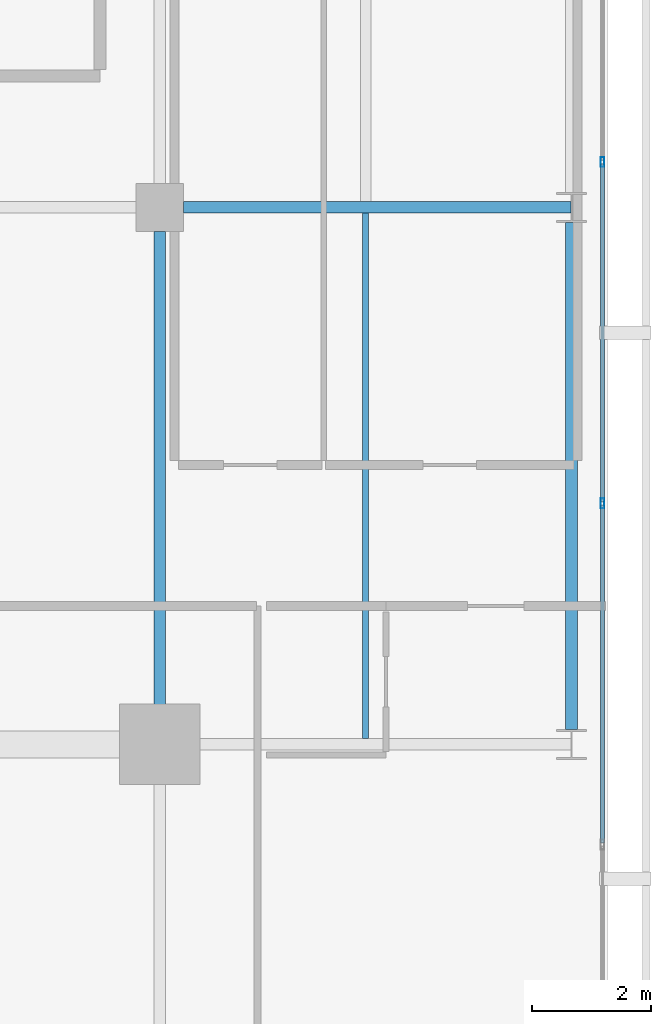
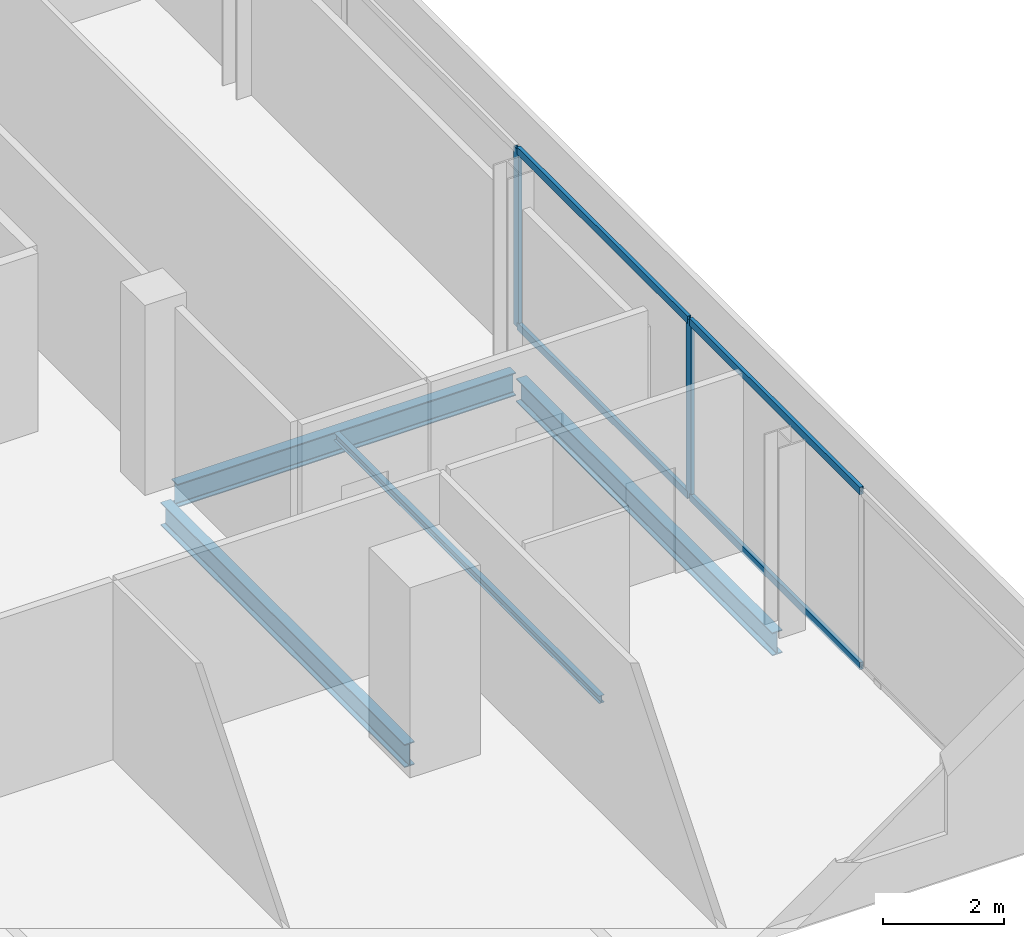
# One storey, part 12 of 23: 6 members, 4 beams, 1 element without a shape of its own.
"""IFC4 building model written with IfcOpenShell, lengths in metres."""

from ifc_helpers import new_model, si_unit, direction, frame, origin, origin_2d, place, context, subcontext, project, spatial, hollow_rectangle, i_section, extrude, material, layer, layer_set, material_profile, profile_set, type_object, element, aggregate, save


model = new_model("IFC4")

# Units and contexts
model_context = context("Model", 3, precision=1e-05, world=origin(), true_north=direction((0.0, 1.0)))
body_context = subcontext(model_context, "Body", "Model", "MODEL_VIEW")
ifc_project = project(units=[si_unit("LENGTHUNIT", "METRE"), si_unit("AREAUNIT", "SQUARE_METRE"), si_unit("VOLUMEUNIT", "CUBIC_METRE"), si_unit("PLANEANGLEUNIT", "RADIAN"), si_unit("MASSUNIT", "GRAM", prefix="KILO")], contexts=[model_context])

# Site, building, storey
site_placement = place(None, origin())
site = spatial("IfcSite", under=ifc_project, at=site_placement, CompositionType="ELEMENT")
building_placement = place(site_placement, origin())
building = spatial("IfcBuilding", under=site, at=building_placement, Name="Maruvema Waterfront Hotel and Observation Tower", CompositionType="ELEMENT")
storey_placement = place(building_placement, frame((0.0, 0.0, 337.39990234375)))
storey = spatial("IfcBuildingStorey", under=building, at=storey_placement, Name="L83", CompositionType="ELEMENT", Elevation=337.39990234375)

# Curtain wall, members
ifc_material_1 = material(Name="Anodised bronze aluminium and solar-control low-E IGU", Category="aluminium")
ifc_layer = layer(ifc_material_1, 0.159912109375, Name="Zone 4 Sky Residence Inner Curtain Wall System CW-05")
ifc_layer_set = layer_set([ifc_layer], Name="Anodised bronze aluminium and solar-control low-E IGU")
curtain_wall_type = type_object("IfcCurtainWallType", Name="Zone 4 Sky Residence Inner Curtain Wall System CW-05", PredefinedType="USERDEFINED", material=ifc_layer_set)
curtain_wall_placement = place(storey_placement, origin())
curtain_wall = element("IfcCurtainWall", 1, at=curtain_wall_placement, inside=storey, type_object=curtain_wall_type, Name="L83 Curtain Wall CW-L83-E", ObjectType="UNITISED CURTAIN WALL", PredefinedType="USERDEFINED")
ifc_material_2 = material(Name="Anodised architectural bronze aluminium", Category="aluminium")
ifc_material_profile_1 = material_profile(ifc_material_2, hollow_rectangle(XDim=0.070068359375, YDim=0.14990234375, WallThickness=0.00390625, at=origin_2d()), Name="ALU-T70x150")
ifc_profile_set_1 = profile_set([ifc_material_profile_1], Name="Anodised architectural bronze aluminium")
member_type_1 = type_object("IfcMemberType", Name="Curtain Wall Horizontal Transom ALU-T70x150", PredefinedType="USERDEFINED", material=ifc_profile_set_1)
member_1_placement = place(storey_placement, frame((57.820068359375, 25.35009765625, 0.030029296875), z_axis=(0.0, 1.0, 0.0), x_axis=(-1.0, 0.0, 0.0)))
member_1 = element("IfcMember", 2, at=member_1_placement, type_object=member_type_1, Name="CW-05 transom 2.1", ObjectType="TRANSOM", PredefinedType="USERDEFINED", context=body_context, shape_type="SweptSolid", body=[
    extrude(hollow_rectangle(XDim=0.070068359375, YDim=0.14990234375, WallThickness=0.00390625, at=origin_2d()), origin(), (0.0, 0.0, 1.0), 5.659912109375),
])
member_2_placement = place(storey_placement, frame((57.820068359375, 25.35009765625, 3.580078125), z_axis=(0.0, 1.0, 0.0), x_axis=(-1.0, 0.0, 0.0)))
member_2 = element("IfcMember", 3, at=member_2_placement, type_object=member_type_1, Name="CW-05 transom 2.2", ObjectType="TRANSOM", PredefinedType="USERDEFINED", context=body_context, shape_type="SweptSolid", body=[
    extrude(hollow_rectangle(XDim=0.070068359375, YDim=0.14990234375, WallThickness=0.00390625, at=origin_2d()), origin(), (0.0, 0.0, 1.0), 5.659912109375),
])
member_3_placement = place(storey_placement, frame((57.820068359375, 31.070068359375, 0.030029296875), z_axis=(0.0, 1.0, 0.0), x_axis=(-1.0, 0.0, 0.0)))
member_3 = element("IfcMember", 4, at=member_3_placement, type_object=member_type_1, Name="CW-05 transom 3.1", ObjectType="TRANSOM", PredefinedType="USERDEFINED", context=body_context, shape_type="SweptSolid", body=[
    extrude(hollow_rectangle(XDim=0.070068359375, YDim=0.14990234375, WallThickness=0.00390625, at=origin_2d()), origin(), (0.0, 0.0, 1.0), 5.659912109375),
])
member_4_placement = place(storey_placement, frame((57.820068359375, 31.070068359375, 3.580078125), z_axis=(0.0, 1.0, 0.0), x_axis=(-1.0, 0.0, 0.0)))
member_4 = element("IfcMember", 5, at=member_4_placement, type_object=member_type_1, Name="CW-05 transom 3.2", ObjectType="TRANSOM", PredefinedType="USERDEFINED", context=body_context, shape_type="SweptSolid", body=[
    extrude(hollow_rectangle(XDim=0.070068359375, YDim=0.14990234375, WallThickness=0.00390625, at=origin_2d()), origin(), (0.0, 0.0, 1.0), 5.659912109375),
])
ifc_material_3 = material(Name="Anodised architectural bronze aluminium", Category="aluminium")
ifc_material_profile_2 = material_profile(ifc_material_3, hollow_rectangle(XDim=0.06494140625, YDim=0.1650390625, WallThickness=0.00390625, at=origin_2d()), Name="ALU-M65x165")
ifc_profile_set_2 = profile_set([ifc_material_profile_2], Name="Anodised architectural bronze aluminium")
member_type_2 = type_object("IfcMemberType", Name="Curtain Wall Primary Mullion ALU-M65x165", PredefinedType="MULLION", material=ifc_profile_set_2)
member_5_placement = place(storey_placement, frame((57.820068359375, 31.0400390625, 0.0), z_axis=(0.0, 0.0, 1.0), x_axis=(-1.0, 0.0, 0.0)))
member_5 = element("IfcMember", 6, at=member_5_placement, type_object=member_type_2, Name="CW-05 mullion 3", PredefinedType="MULLION", context=body_context, shape_type="SweptSolid", body=[
    extrude(hollow_rectangle(XDim=0.06494140625, YDim=0.1650390625, WallThickness=0.00390625, at=origin_2d()), origin(), (0.0, 0.0, 1.0), 3.610107421875),
])
member_6_placement = place(storey_placement, frame((57.820068359375, 36.760009765625, 0.0), z_axis=(0.0, 0.0, 1.0), x_axis=(-1.0, 0.0, 0.0)))
member_6 = element("IfcMember", 7, at=member_6_placement, type_object=member_type_2, Name="CW-05 mullion 4", PredefinedType="MULLION", context=body_context, shape_type="SweptSolid", body=[
    extrude(hollow_rectangle(XDim=0.06494140625, YDim=0.1650390625, WallThickness=0.00390625, at=origin_2d()), origin(), (0.0, 0.0, 1.0), 3.610107421875),
])
aggregate(curtain_wall, [member_5, member_6, member_1, member_2, member_3, member_4])

# Beams
ifc_material_4 = material(Name="Steel ASTM A572 Grade 50", Category="steel")
ifc_material_profile_3 = material_profile(ifc_material_4, i_section(OverallWidth=0.194091796875, OverallDepth=0.468994140625, WebThickness=0.0126953125, FlangeThickness=0.0205078125, FilletRadius=0.014892578125, at=origin_2d()), Name="W460x106.0")
ifc_profile_set_3 = profile_set([ifc_material_profile_3], Name="Steel ASTM A572 Grade 50")
beam_type_1 = type_object("IfcBeamType", Name="Primary Floor Girder W460x106.0", PredefinedType="BEAM", material=ifc_profile_set_3)
beam_1_placement = place(storey_placement, frame((50.800048828125, 36.0, -0.474365234375), z_axis=(1.0, 0.0, 0.0), x_axis=(0.0, 1.0, 0.0)))
element("IfcBeam", 8, at=beam_1_placement, inside=storey, type_object=beam_type_1, Name="L83 Floor Girder EW-14", PredefinedType="BEAM", context=body_context, shape_type="SweptSolid", body=[
    extrude(i_section(OverallWidth=0.194091796875, OverallDepth=0.468994140625, WebThickness=0.0126953125, FlangeThickness=0.0205078125, FilletRadius=0.014892578125, at=origin_2d()), origin(), (0.0, 0.0, 1.0), 6.489013671875),
])
beam_2_placement = place(storey_placement, frame((50.39990234375, 27.5, -0.474365234375), z_axis=(0.0, 1.0, 0.0), x_axis=(-1.0, 0.0, 0.0)))
element("IfcBeam", 9, at=beam_2_placement, inside=storey, type_object=beam_type_1, Name="L83 Floor Girder NS-13", PredefinedType="BEAM", context=body_context, shape_type="SweptSolid", body=[
    extrude(i_section(OverallWidth=0.194091796875, OverallDepth=0.468994140625, WebThickness=0.0126953125, FlangeThickness=0.0205078125, FilletRadius=0.014892578125, at=origin_2d()), origin(), (0.0, 0.0, 1.0), 8.10009765625),
])
beam_3_placement = place(storey_placement, frame((57.300048828125, 27.25, -0.474365234375), z_axis=(0.0, 1.0, 0.0), x_axis=(-1.0, 0.0, 0.0)))
element("IfcBeam", 10, at=beam_3_placement, inside=storey, type_object=beam_type_1, Name="L83 Floor Girder NS-15", PredefinedType="BEAM", context=body_context, shape_type="SweptSolid", body=[
    extrude(i_section(OverallWidth=0.194091796875, OverallDepth=0.468994140625, WebThickness=0.0126953125, FlangeThickness=0.0205078125, FilletRadius=0.014892578125, at=origin_2d()), origin(), (0.0, 0.0, 1.0), 8.5),
])
ifc_material_5 = material(Name="Steel ASTM A572 Grade 50", Category="steel")
ifc_material_profile_4 = material_profile(ifc_material_5, i_section(OverallWidth=0.10009765625, OverallDepth=0.153076171875, WebThickness=0.005859375, FlangeThickness=0.007080078125, FilletRadius=0.008056640625, at=origin_2d()), Name="W150x18.0")
ifc_profile_set_4 = profile_set([ifc_material_profile_4], Name="Steel ASTM A572 Grade 50")
beam_type_2 = type_object("IfcBeamType", Name="Secondary Floor Joist W150x18.0", PredefinedType="JOIST", material=ifc_profile_set_4)
beam_4_placement = place(storey_placement, frame((53.85009765625, 27.096923828125, -0.31640625), z_axis=(0.0, 1.0, 0.0), x_axis=(-1.0, 0.0, 0.0)))
element("IfcBeam", 11, at=beam_4_placement, inside=storey, type_object=beam_type_2, Name="L83 Secondary Floor Joist JS-06", PredefinedType="JOIST", context=body_context, shape_type="SweptSolid", body=[
    extrude(i_section(OverallWidth=0.10009765625, OverallDepth=0.153076171875, WebThickness=0.005859375, FlangeThickness=0.007080078125, FilletRadius=0.008056640625, at=origin_2d()), origin(), (0.0, 0.0, 1.0), 8.80615234375),
])

save(model, "model.ifc")
